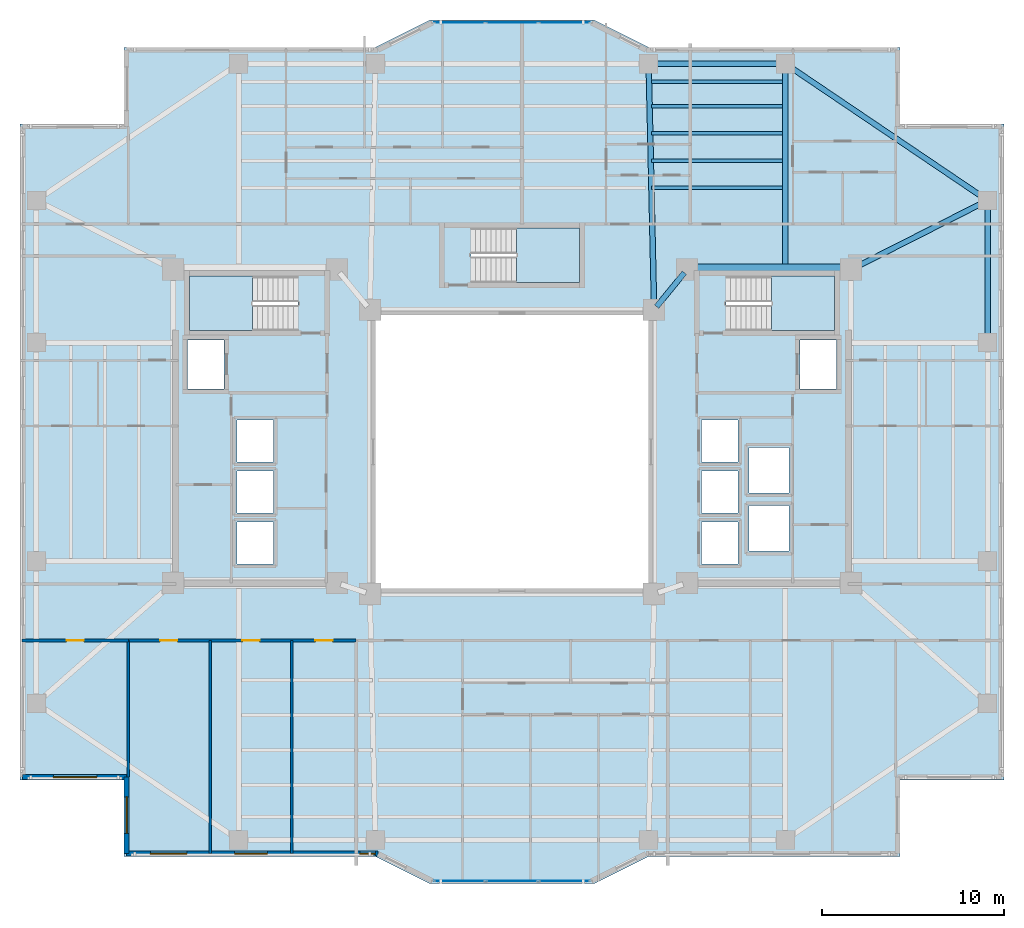
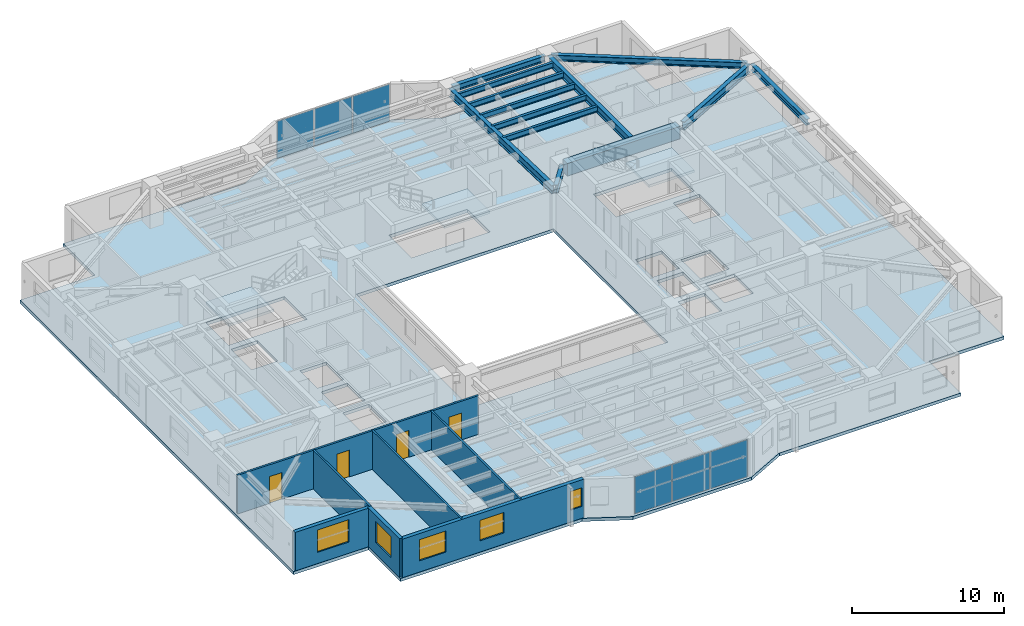
# One storey, part 5 of 18: 13 beams, 8 walls, 6 plates, 5 windows, 4 doors, 4 slabs, 9 openings, 5 elements without a shape of their own.
"""IFC4 building model written with IfcOpenShell, lengths in metres."""

import ifcopenshell
import ifcopenshell.guid

model = None  # the IFC model being written
_history = None  # IfcOwnerHistory: only IFC2X3 demands one
_inside = {}  # id of a spatial element -> (the spatial element, [elements in it])
_under = {}  # id of a project, library or spatial element -> (it, [spatial elements below it])
_declared = {}  # id of a project -> (the project, [libraries it declares])
_typed = {}  # id of a type object -> (the type object, [elements of that type])
_made_of = {}  # id of a material, layer set ... -> (it, [elements and type objects made of it])


def new_model(schema):
    """Start an empty IFC model of exactly this schema.

    Asked for "IFC4X3", IfcOpenShell would pick the latest addendum, in which some entities
    have other attributes; the version numbers below select the first issue.
    IFC2X3 requires an IfcOwnerHistory on every rooted entity: one is made here for all.
    """
    global model, _history
    if schema == "IFC4X3":
        model = ifcopenshell.file(schema_version=(4, 3, 0, 0))
    else:
        model = ifcopenshell.file(schema=schema)
    _inside.clear()
    _under.clear()
    _declared.clear()
    _typed.clear()
    _made_of.clear()
    _history = None
    if model.schema == "IFC2X3":
        org = make("IfcOrganization", Name="unknown")
        user = make(
            "IfcPersonAndOrganization",
            ThePerson=make("IfcPerson", FamilyName="unknown"),
            TheOrganization=org,
        )
        app = make(
            "IfcApplication",
            ApplicationDeveloper=org,
            Version="unknown",
            ApplicationFullName="unknown",
            ApplicationIdentifier="unknown",
        )
        _history = make(
            "IfcOwnerHistory",
            OwningUser=user,
            OwningApplication=app,
            ChangeAction="ADDED",
            CreationDate=0,
        )
    return model


def make(cls, **values):
    """One entity of the class cls with the attributes given. An attribute that is None is left unset."""
    return model.create_entity(
        cls, **{name: value for name, value in values.items() if value is not None}
    )


def rooted(cls, **values):
    """An entity with a GlobalId (a new one), such as an element, a storey or a relation."""
    return make(cls, GlobalId=ifcopenshell.guid.new(), OwnerHistory=_history, **values)


def si_unit(unit_type, name, prefix=None):
    """IfcSIUnit, for example si_unit("LENGTHUNIT", "METRE", prefix="MILLI")."""
    return make("IfcSIUnit", UnitType=unit_type, Prefix=prefix, Name=name)


def assignment(units):
    """IfcUnitAssignment: the units of a project."""
    return None if units is None else make("IfcUnitAssignment", Units=units)


def point(xyz):
    """IfcCartesianPoint."""
    return None if xyz is None else make("IfcCartesianPoint", Coordinates=xyz)


def direction(xyz):
    """IfcDirection."""
    return None if xyz is None else make("IfcDirection", DirectionRatios=xyz)


def frame(location, z_axis=None, x_axis=None):
    """IfcAxis2Placement3D, a coordinate frame: its origin and axes. An axis left out is left unset."""
    return make(
        "IfcAxis2Placement3D",
        Location=point(location),
        Axis=direction(z_axis),
        RefDirection=direction(x_axis),
    )


def frame_2d(location, x_axis=None):
    """IfcAxis2Placement2D, a coordinate frame in the plane: its origin and x axis."""
    return make(
        "IfcAxis2Placement2D", Location=point(location), RefDirection=direction(x_axis)
    )


def origin():
    """The frame at (0, 0, 0) with its axes left unset."""
    return frame((0.0, 0.0, 0.0))


def origin_2d():
    """The frame at (0, 0) in the plane with its x axis left unset."""
    return frame_2d((0.0, 0.0))


def place(relative_to, where):
    """IfcLocalPlacement: puts the frame where relative to a parent placement (None: the world)."""
    return make(
        "IfcLocalPlacement", PlacementRelTo=relative_to, RelativePlacement=where
    )


def context(
    kind, dimensions, precision=None, world=None, true_north=None, identifier=None
):
    """IfcGeometricRepresentationContext, for example the 3D "Model" context."""
    return make(
        "IfcGeometricRepresentationContext",
        ContextIdentifier=identifier,
        ContextType=kind,
        CoordinateSpaceDimension=dimensions,
        Precision=precision,
        WorldCoordinateSystem=world,
        TrueNorth=true_north,
    )


def subcontext(parent, identifier, kind, view, scale=None):
    """IfcGeometricRepresentationSubContext, for example "Body" below "Model"."""
    return make(
        "IfcGeometricRepresentationSubContext",
        ContextIdentifier=identifier,
        ContextType=kind,
        ParentContext=parent,
        TargetScale=scale,
        TargetView=view,
    )


def project(units=None, contexts=None):
    """IfcProject with its units and contexts."""
    return rooted(
        "IfcProject",
        Name="project",
        RepresentationContexts=contexts,
        UnitsInContext=assignment(units),
    )


def spatial(cls, under=None, at=None, **own):
    """A site, building, storey or space (cls), placed at a placement, below another one or the project."""
    s = rooted(cls, ObjectPlacement=at, **own)
    if under is not None:
        _under.setdefault(under.id(), (under, []))[1].append(s)
    return s


def polyline(points):
    """IfcPolyline through the points."""
    return make("IfcPolyline", Points=[point(p) for p in points])


def profile(cls, at=None, kind="AREA", **sizes):
    """A parametric profile (cls). Its sizes go by their IFC names, for example OverallWidth=200.0."""
    return make(cls, ProfileType=kind, Position=at, **sizes)


def rectangle(**sizes):
    """IfcRectangleProfileDef."""
    return profile("IfcRectangleProfileDef", **sizes)


def i_section(**sizes):
    """IfcIShapeProfileDef."""
    return profile("IfcIShapeProfileDef", **sizes)


def outline(outer, holes=None, kind="AREA"):
    """IfcArbitraryClosedProfileDef: a profile drawn as a closed curve; with holes, ...WithVoids."""
    if holes is None:
        return make("IfcArbitraryClosedProfileDef", ProfileType=kind, OuterCurve=outer)
    return make(
        "IfcArbitraryProfileDefWithVoids",
        ProfileType=kind,
        OuterCurve=outer,
        InnerCurves=holes,
    )


def extrude(swept, where, along, depth):
    """IfcExtrudedAreaSolid: the profile swept, set in the frame where, extruded along a direction by depth."""
    return make(
        "IfcExtrudedAreaSolid",
        SweptArea=swept,
        Position=where,
        ExtrudedDirection=direction(along),
        Depth=depth,
    )


def shape(context_of_items, identifier, shape_type, items):
    """IfcShapeRepresentation: the items that make up one representation, for example the "Body"."""
    return make(
        "IfcShapeRepresentation",
        ContextOfItems=context_of_items,
        RepresentationIdentifier=identifier,
        RepresentationType=shape_type,
        Items=items,
    )


def material(Name=None, Category=None):
    """IfcMaterial."""
    return make("IfcMaterial", Name=Name, Category=Category)


def layer(
    of_material, thickness, ventilated=None, Name=None, Category=None, Priority=None
):
    """IfcMaterialLayer: one layer of a wall or slab, of a material (None: an air gap)."""
    return make(
        "IfcMaterialLayer",
        Material=of_material,
        LayerThickness=thickness,
        IsVentilated=ventilated,
        Name=Name,
        Category=Category,
        Priority=Priority,
    )


def layer_set(layers, Name=None):
    """IfcMaterialLayerSet."""
    return make("IfcMaterialLayerSet", MaterialLayers=layers, LayerSetName=Name)


def material_profile(
    of_material, cross_section, Name=None, Category=None, Priority=None
):
    """IfcMaterialProfile: a cross section and its material."""
    return make(
        "IfcMaterialProfile",
        Name=Name,
        Material=of_material,
        Profile=cross_section,
        Priority=Priority,
        Category=Category,
    )


def profile_set(profiles, Name=None, composite=None):
    """IfcMaterialProfileSet."""
    return make(
        "IfcMaterialProfileSet",
        Name=Name,
        MaterialProfiles=profiles,
        CompositeProfile=composite,
    )


def made_of(thing, what):
    """Note that an element or type object is made of a material, layer set ...; save() writes the relation."""
    if what is not None:
        _made_of.setdefault(what.id(), (what, []))[1].append(thing)
    return thing


def type_object(cls, material=None, **own):
    """A type object (cls), such as IfcWallType, which elements share."""
    return made_of(rooted(cls, **own), material)


def element(
    cls,
    number,
    at=None,
    inside=None,
    cuts=None,
    type_object=None,
    material=None,
    context=None,
    identifier="Body",
    shape_type=None,
    held_by="IfcProductDefinitionShape",
    body=None,
    shapes=None,
    **own,
):
    """One element of the class cls, such as IfcWall. Its Tag is "e" and its number.

    at: its placement. inside: the storey or other place that contains it. cuts: it is an
    opening in that element (IfcRelVoidsElement). A single representation is given by context,
    identifier, shape_type and body (its items); several are given by shapes. held_by: the class
    of the entity that holds the representations. save() writes the other relations.
    """
    e = rooted(cls, Tag="e%d" % number, ObjectPlacement=at, **own)
    if body is not None:
        shapes = [shape(context, identifier, shape_type, body)]
    if shapes is not None:
        e.Representation = make(held_by, Representations=shapes)
    if inside is not None:
        _inside.setdefault(inside.id(), (inside, []))[1].append(e)
    if cuts is not None:
        rooted(
            "IfcRelVoidsElement", RelatingBuildingElement=cuts, RelatedOpeningElement=e
        )
    if type_object is not None:
        _typed.setdefault(type_object.id(), (type_object, []))[1].append(e)
    return made_of(e, material)


def fill(opening, filler):
    """IfcRelFillsElement: the door or window that sits in an opening."""
    return rooted(
        "IfcRelFillsElement",
        RelatingOpeningElement=opening,
        RelatedBuildingElement=filler,
    )


def aggregate(whole, parts):
    """IfcRelAggregates: a whole, such as a stair, and the parts it consists of."""
    return rooted("IfcRelAggregates", RelatingObject=whole, RelatedObjects=parts)


def save(model, path):
    """Write the relations noted so far, then the file.

    IfcRelAggregates (storeys below a building ...), IfcRelContainedInSpatialStructure (elements
    in a storey), IfcRelDefinesByType, IfcRelAssociatesMaterial and IfcRelDeclares: one each for
    every whole, place, type object, material and project.
    """
    for whole, parts in _under.values():
        aggregate(whole, parts)
    for where, things in _inside.values():
        rooted(
            "IfcRelContainedInSpatialStructure",
            RelatedElements=things,
            RelatingStructure=where,
        )
    for kind, things in _typed.values():
        rooted("IfcRelDefinesByType", RelatedObjects=things, RelatingType=kind)
    for what, things in _made_of.values():
        rooted("IfcRelAssociatesMaterial", RelatedObjects=things, RelatingMaterial=what)
    for by, libraries in _declared.values():
        rooted("IfcRelDeclares", RelatingContext=by, RelatedDefinitions=libraries)
    model.write(path)


model = new_model("IFC4")

# Units and contexts
model_context = context("Model", 3, precision=1e-05, world=origin(), true_north=direction((0.0, 1.0)))
body_context = subcontext(model_context, "Body", "Model", "MODEL_VIEW")
ifc_project = project(units=[si_unit("LENGTHUNIT", "METRE"), si_unit("AREAUNIT", "SQUARE_METRE"), si_unit("VOLUMEUNIT", "CUBIC_METRE"), si_unit("PLANEANGLEUNIT", "RADIAN"), si_unit("MASSUNIT", "GRAM", prefix="KILO")], contexts=[model_context])

# Site, building, storey
site_placement = place(None, origin())
site = spatial("IfcSite", under=ifc_project, at=site_placement, CompositionType="ELEMENT")
building_placement = place(site_placement, origin())
building = spatial("IfcBuilding", under=site, at=building_placement, Name="Tarnavaz Court Tower", CompositionType="ELEMENT")
storey_placement = place(building_placement, frame((0.0, 0.0, 95.050048828125)))
storey = spatial("IfcBuildingStorey", under=building, at=storey_placement, Name="L25", CompositionType="ELEMENT", Elevation=95.050048828125)

# Beams
ifc_material_1 = material(Name="Concrete C60/75", Category="concrete")
ifc_material_profile_1 = material_profile(ifc_material_1, rectangle(XDim=0.60009765625, YDim=1.0, at=origin_2d()), Name="RC 600X1000")
ifc_profile_set_1 = profile_set([ifc_material_profile_1], Name="Concrete C60/75")
beam_type_1 = type_object("IfcBeamType", Name="BM-CB1000", PredefinedType="LINTEL", material=ifc_profile_set_1)
beam_1_placement = place(storey_placement, frame((18.3798828125, 10.0, 2.599853515625), z_axis=(-1.0, 0.0, 0.0), x_axis=(0.0, -1.0, 0.0)))
element("IfcBeam", 1, at=beam_1_placement, inside=storey, type_object=beam_type_1, Name="L25 Beam IN-CE-NO-CE-NI", PredefinedType="LINTEL", context=body_context, shape_type="SweptSolid", body=[
    extrude(rectangle(XDim=0.60009765625, YDim=1.0, at=origin_2d()), origin(), (0.0, 0.0, 1.0), 8.559814453125),
])
ifc_material_2 = material(Name="Steel S355", Category="steel")
ifc_material_profile_2 = material_profile(ifc_material_2, i_section(OverallWidth=0.300048828125, OverallDepth=0.64990234375, WebThickness=0.01611328125, FlangeThickness=0.031005859375, FilletRadius=0.027099609375, at=origin_2d()), Name="HEB 650")
ifc_profile_set_2 = profile_set([ifc_material_profile_2], Name="Steel S355")
beam_type_2 = type_object("IfcBeamType", Name="BM-G-HEB650", PredefinedType="USERDEFINED", material=ifc_profile_set_2)
beam_2_placement = place(storey_placement, frame((9.460693359375, 9.82958984375, 2.77490234375), z_axis=(-0.633282058357, -0.773921077735, 0.0), x_axis=(0.773921077735, -0.633282058357, 0.0)))
element("IfcBeam", 2, at=beam_2_placement, inside=storey, type_object=beam_type_2, Name="L25 Beam IN-CE-NI-IW-NE", ObjectType="GIRDER", PredefinedType="USERDEFINED", context=body_context, shape_type="SweptSolid", body=[
    extrude(i_section(OverallWidth=0.300048828125, OverallDepth=0.64990234375, WebThickness=0.01611328125, FlangeThickness=0.031005859375, FilletRadius=0.027099609375, at=origin_2d()), origin(), (0.0, 0.0, 1.0), 2.402587890625),
])
beam_3_placement = place(storey_placement, frame((7.795166015625, 8.02001953125, 2.77490234375), z_axis=(-0.022221303469, 0.99975307635, 0.0), x_axis=(-0.99975307635, -0.022221303469, 0.0)))
element("IfcBeam", 3, at=beam_3_placement, inside=storey, type_object=beam_type_2, Name="L25 Beam RG-03", ObjectType="GIRDER", PredefinedType="USERDEFINED", context=body_context, shape_type="SweptSolid", body=[
    extrude(i_section(OverallWidth=0.300048828125, OverallDepth=0.64990234375, WebThickness=0.01611328125, FlangeThickness=0.031005859375, FilletRadius=0.027099609375, at=origin_2d()), origin(), (0.0, 0.0, 1.0), 13.063232421875),
])
beam_4_placement = place(storey_placement, frame((15.0, 10.0400390625, 2.77490234375), z_axis=(0.0, 1.0, 0.0), x_axis=(-1.0, 0.0, 0.0)))
element("IfcBeam", 4, at=beam_4_placement, inside=storey, type_object=beam_type_2, Name="L25 Beam RG-04", ObjectType="GIRDER", PredefinedType="USERDEFINED", context=body_context, shape_type="SweptSolid", body=[
    extrude(i_section(OverallWidth=0.300048828125, OverallDepth=0.64990234375, WebThickness=0.01611328125, FlangeThickness=0.031005859375, FilletRadius=0.027099609375, at=origin_2d()), origin(), (0.0, 0.0, 1.0), 11.0400390625),
])
beam_5_placement = place(storey_placement, frame((18.796142578125, 10.099365234375, 2.77490234375), z_axis=(0.892030669981, 0.451974870776, 0.0), x_axis=(-0.451974870776, 0.892030669981, 0.0)))
element("IfcBeam", 5, at=beam_5_placement, inside=storey, type_object=beam_type_2, Name="L25 Beam RG-12", ObjectType="GIRDER", PredefinedType="USERDEFINED", context=body_context, shape_type="SweptSolid", body=[
    extrude(i_section(OverallWidth=0.300048828125, OverallDepth=0.64990234375, WebThickness=0.01611328125, FlangeThickness=0.031005859375, FilletRadius=0.027099609375, at=origin_2d()), origin(), (0.0, 0.0, 1.0), 7.968017578125),
])
ifc_material_profile_3 = material_profile(ifc_material_2, i_section(OverallWidth=0.18994140625, OverallDepth=0.449951171875, WebThickness=0.009521484375, FlangeThickness=0.0146484375, FilletRadius=0.02099609375, at=origin_2d()), Name="IPE 450")
ifc_profile_set_3 = profile_set([ifc_material_profile_3], Name="Steel S355")
beam_type_3 = type_object("IfcBeamType", Name="BM-J-IPE450", PredefinedType="JOIST", material=ifc_profile_set_3)
for number, where, z_axis, x_axis, name in (
    (6, (7.64990234375, 14.493896484375, 2.875), (1.0, 0.0, 0.0), (0.0, 1.0, 0.0), "L25 Beam JN1-3"),
    (7, (7.64990234375, 15.988037109375, 2.875), (1.0, 0.0, 0.0), (0.0, 1.0, 0.0), "L25 Beam JN2-3"),
    (8, (7.64990234375, 17.48193359375, 2.875), (1.0, 0.0, 0.0), (0.0, 1.0, 0.0), "L25 Beam JN3-3"),
    (9, (7.64990234375, 18.97607421875, 2.875), (1.0, 0.0, 0.0), (0.0, 1.0, 0.0), "L25 Beam JN4-3"),
    (10, (7.64990234375, 20.303955078125, 2.875), (1.0, 0.0, 0.0), (0.0, 1.0, 0.0), "L25 Beam JN5-3"),
):
    element("IfcBeam", number, at=place(storey_placement, frame(where, z_axis=z_axis, x_axis=x_axis)), inside=storey, type_object=beam_type_3, Name=name, PredefinedType="JOIST", context=body_context, shape_type="SweptSolid", body=[
        extrude(i_section(OverallWidth=0.18994140625, OverallDepth=0.449951171875, WebThickness=0.009521484375, FlangeThickness=0.0146484375, FilletRadius=0.02099609375, at=origin_2d()), origin(), (0.0, 0.0, 1.0), 7.2001953125),
    ])
ifc_material_profile_4 = material_profile(ifc_material_2, i_section(OverallWidth=0.300048828125, OverallDepth=0.489990234375, WebThickness=0.011962890625, FlangeThickness=0.02294921875, FilletRadius=0.027099609375, at=origin_2d()), Name="HEA 500")
ifc_profile_set_4 = profile_set([ifc_material_profile_4], Name="Steel S355")
beam_type_4 = type_object("IfcBeamType", Name="BM-SP-HEA500", PredefinedType="SPANDREL", material=ifc_profile_set_4)
beam_6_placement = place(storey_placement, frame((7.719970703125, 21.300048828125, 2.85498046875), z_axis=(1.0, 0.0, 0.0), x_axis=(0.0, 1.0, 0.0)))
element("IfcBeam", 11, at=beam_6_placement, inside=storey, type_object=beam_type_4, Name="L25 Beam PR-PN-3-PN-4", PredefinedType="SPANDREL", context=body_context, shape_type="SweptSolid", body=[
    extrude(i_section(OverallWidth=0.300048828125, OverallDepth=0.489990234375, WebThickness=0.011962890625, FlangeThickness=0.02294921875, FilletRadius=0.027099609375, at=origin_2d()), origin(), (0.0, 0.0, 1.0), 7.06005859375),
])
beam_7_placement = place(storey_placement, frame((26.10009765625, 6.219970703125, 2.85498046875), z_axis=(0.0, 1.0, 0.0), x_axis=(-1.0, 0.0, 0.0)))
element("IfcBeam", 12, at=beam_7_placement, inside=storey, type_object=beam_type_4, Name="L25 Beam PR-PE-3-PE-4", PredefinedType="SPANDREL", context=body_context, shape_type="SweptSolid", body=[
    extrude(i_section(OverallWidth=0.300048828125, OverallDepth=0.489990234375, WebThickness=0.011962890625, FlangeThickness=0.02294921875, FilletRadius=0.027099609375, at=origin_2d()), origin(), (0.0, 0.0, 1.0), 7.360107421875),
])
beam_8_placement = place(storey_placement, frame((15.182373046875, 21.1767578125, 2.85498046875), z_axis=(0.828587314918, -0.559859858854, 0.0), x_axis=(0.559859858854, 0.828587314918, 0.0)))
element("IfcBeam", 13, at=beam_8_placement, inside=storey, type_object=beam_type_4, Name="L25 Beam PR-PN-4-PE-4", PredefinedType="SPANDREL", context=body_context, shape_type="SweptSolid", body=[
    extrude(i_section(OverallWidth=0.300048828125, OverallDepth=0.489990234375, WebThickness=0.011962890625, FlangeThickness=0.02294921875, FilletRadius=0.027099609375, at=origin_2d()), origin(), (0.0, 0.0, 1.0), 12.956298828125),
])

# Curtain wall, plates
ifc_material_3 = material(Name="Anodised Aluminium 6063-T6 and Solar Low-E Glazing", Category="aluminium")
ifc_layer_1 = layer(ifc_material_3, 0.179931640625)
ifc_layer_set_1 = layer_set([ifc_layer_1], Name="Anodised Aluminium 6063-T6 and Solar Low-E Glazing")
curtain_wall_type = type_object("IfcCurtainWallType", Name="CW-SYS-02", PredefinedType="NOTDEFINED", material=ifc_layer_set_1)
curtain_wall_1_placement = place(storey_placement, origin())
curtain_wall_1 = element("IfcCurtainWall", 14, at=curtain_wall_1_placement, inside=storey, type_object=curtain_wall_type, Name="L25 Iwan Prow Curtain Wall 7", PredefinedType="NOTDEFINED")
ifc_material_4 = material(Name="Double-Glazed Solar Low-E Glass", Category="glass")
ifc_layer_2 = layer(ifc_material_4, 0.028076171875)
ifc_layer_set_2 = layer_set([ifc_layer_2], Name="Double-Glazed Solar Low-E Glass")
plate_type = type_object("IfcPlateType", Name="CW-PAN-GLZ28", PredefinedType="CURTAIN_PANEL", material=ifc_layer_set_2)
plate_1_placement = place(storey_placement, frame((-2.88134765625, 23.550048828125, 0.06494140625), z_axis=(0.0, 0.0, 1.0), x_axis=(1.0, 0.0, 0.0)))
plate_1 = element("IfcPlate", 15, at=plate_1_placement, type_object=plate_type, Name="CW panel 1.1", PredefinedType="CURTAIN_PANEL", context=body_context, shape_type="SweptSolid", body=[
    extrude(rectangle(XDim=2.78759765625, YDim=0.028076171875, at=origin_2d()), origin(), (0.0, 0.0, 1.0), 2.969970703125),
])
plate_2_placement = place(storey_placement, frame((0.0, 23.550048828125, 0.06494140625), z_axis=(0.0, 0.0, 1.0), x_axis=(1.0, 0.0, 0.0)))
plate_2 = element("IfcPlate", 16, at=plate_2_placement, type_object=plate_type, Name="CW panel 2.1", PredefinedType="CURTAIN_PANEL", context=body_context, shape_type="SweptSolid", body=[
    extrude(rectangle(XDim=2.824951171875, YDim=0.028076171875, at=origin_2d()), origin(), (0.0, 0.0, 1.0), 2.969970703125),
])
plate_3_placement = place(storey_placement, frame((2.88134765625, 23.550048828125, 0.06494140625), z_axis=(0.0, 0.0, 1.0), x_axis=(1.0, 0.0, 0.0)))
plate_3 = element("IfcPlate", 17, at=plate_3_placement, type_object=plate_type, Name="CW panel 3.1", PredefinedType="CURTAIN_PANEL", context=body_context, shape_type="SweptSolid", body=[
    extrude(rectangle(XDim=2.78759765625, YDim=0.028076171875, at=origin_2d()), origin(), (0.0, 0.0, 1.0), 2.969970703125),
])
aggregate(curtain_wall_1, [plate_1, plate_2, plate_3])

curtain_wall_2_placement = place(storey_placement, origin())
curtain_wall_2 = element("IfcCurtainWall", 18, at=curtain_wall_2_placement, inside=storey, type_object=curtain_wall_type, Name="L25 Iwan Prow Curtain Wall 17", PredefinedType="NOTDEFINED")
plate_4_placement = place(storey_placement, frame((2.88134765625, -23.550048828125, 0.06494140625), z_axis=(0.0, 0.0, 1.0), x_axis=(-1.0, 0.0, 0.0)))
plate_4 = element("IfcPlate", 19, at=plate_4_placement, type_object=plate_type, Name="CW panel 1.1", PredefinedType="CURTAIN_PANEL", context=body_context, shape_type="SweptSolid", body=[
    extrude(rectangle(XDim=2.78759765625, YDim=0.028076171875, at=origin_2d()), origin(), (0.0, 0.0, 1.0), 2.969970703125),
])
plate_5_placement = place(storey_placement, frame((0.0, -23.550048828125, 0.06494140625), z_axis=(0.0, 0.0, 1.0), x_axis=(-1.0, 0.0, 0.0)))
plate_5 = element("IfcPlate", 20, at=plate_5_placement, type_object=plate_type, Name="CW panel 2.1", PredefinedType="CURTAIN_PANEL", context=body_context, shape_type="SweptSolid", body=[
    extrude(rectangle(XDim=2.824951171875, YDim=0.028076171875, at=origin_2d()), origin(), (0.0, 0.0, 1.0), 2.969970703125),
])
plate_6_placement = place(storey_placement, frame((-2.88134765625, -23.550048828125, 0.06494140625), z_axis=(0.0, 0.0, 1.0), x_axis=(-1.0, 0.0, 0.0)))
plate_6 = element("IfcPlate", 21, at=plate_6_placement, type_object=plate_type, Name="CW panel 3.1", PredefinedType="CURTAIN_PANEL", context=body_context, shape_type="SweptSolid", body=[
    extrude(rectangle(XDim=2.78759765625, YDim=0.028076171875, at=origin_2d()), origin(), (0.0, 0.0, 1.0), 2.969970703125),
])
aggregate(curtain_wall_2, [plate_4, plate_5, plate_6])

# Stair, slab
ifc_material_5 = material(Name="Concrete C40/50", Category="concrete")
stair_type = type_object("IfcStairType", Name="ST-TWR-20R", PredefinedType="HALF_TURN_STAIR", material=ifc_material_5)
stair_1_placement = place(storey_placement, origin())
stair_1 = element("IfcStair", 22, at=stair_1_placement, inside=storey, type_object=stair_type, Name="L25 West Core Pressurized Exit Stair ST-W1", PredefinedType="HALF_TURN_STAIR")
ifc_layer_3 = layer(ifc_material_5, 0.199951171875)
ifc_layer_set_3 = layer_set([ifc_layer_3], Name="Concrete C40/50")
slab_type_1 = type_object("IfcSlabType", Name="SL-LAND-200", PredefinedType="LANDING", material=ifc_layer_set_3)
slab_1_placement = place(storey_placement, frame((0.0, 0.0, 1.474853515625)))
slab_1 = element("IfcSlab", 23, at=slab_1_placement, type_object=slab_type_1, Name="ST-W1 landing 1", PredefinedType="LANDING", context=body_context, shape_type="SweptSolid", body=[
    extrude(outline(polyline([(-14.239990234375, 9.639892578125), (-17.699951171875, 9.639892578125), (-17.699951171875, 6.64990234375), (-14.239990234375, 6.64990234375), (-14.239990234375, 9.639892578125)])), origin(), (0.0, 0.0, 1.0), 0.2001953125),
])
aggregate(stair_1, [slab_1])

stair_2_placement = place(storey_placement, origin())
stair_2 = element("IfcStair", 24, at=stair_2_placement, inside=storey, type_object=stair_type, Name="L25 East Core Pressurized Exit Stair ST-E1", PredefinedType="HALF_TURN_STAIR")
slab_2_placement = place(storey_placement, frame((0.0, 0.0, 1.474853515625)))
slab_2 = element("IfcSlab", 25, at=slab_2_placement, type_object=slab_type_1, Name="ST-E1 landing 1", PredefinedType="LANDING", context=body_context, shape_type="SweptSolid", body=[
    extrude(outline(polyline([(14.239990234375, 6.64990234375), (17.699951171875, 6.64990234375), (17.699951171875, 9.639892578125), (14.239990234375, 9.639892578125), (14.239990234375, 6.64990234375)])), origin(), (0.0, 0.0, 1.0), 0.2001953125),
])
aggregate(stair_2, [slab_2])

stair_3_placement = place(storey_placement, origin())
stair_3 = element("IfcStair", 26, at=stair_3_placement, inside=storey, type_object=stair_type, Name="L25 North Ring Pressurized Exit Stair ST-N1", PredefinedType="HALF_TURN_STAIR")
slab_3_placement = place(storey_placement, frame((0.0, 0.0, 1.474853515625)))
slab_3 = element("IfcSlab", 27, at=slab_3_placement, type_object=slab_type_1, Name="ST-N1 landing 1", PredefinedType="LANDING", context=body_context, shape_type="SweptSolid", body=[
    extrude(outline(polyline([(0.239990234375, 9.300048828125), (3.699951171875, 9.300048828125), (3.699951171875, 12.2900390625), (0.239990234375, 12.2900390625), (0.239990234375, 9.300048828125)])), origin(), (0.0, 0.0, 1.0), 0.2001953125),
])
aggregate(stair_3, [slab_3])

# Slab
ifc_layer_4 = layer(ifc_material_5, 0.25)
ifc_layer_set_4 = layer_set([ifc_layer_4], Name="Concrete C40/50")
slab_type_2 = type_object("IfcSlabType", Name="SL-RES-250", PredefinedType="FLOOR", material=ifc_layer_set_4)
slab_4_placement = place(storey_placement, frame((0.0, 0.0, -0.25)))
element("IfcSlab", 28, at=slab_4_placement, inside=storey, type_object=slab_type_2, Name="L25 Structural Floor Slab", PredefinedType="FLOOR", context=body_context, shape_type="SweptSolid", body=[
    extrude(outline(polyline([(-21.300048828125, -22.199951171875), (-7.5, -22.199951171875), (-4.5, -23.699951171875), (4.5, -23.699951171875), (7.5, -22.199951171875), (21.300048828125, -22.199951171875), (21.300048828125, -18.0), (27.0, -18.0), (27.0, 18.0), (21.300048828125, 18.0), (21.300048828125, 22.199951171875), (7.5, 22.199951171875), (4.5, 23.699951171875), (-4.5, 23.699951171875), (-7.5, 22.199951171875), (-21.300048828125, 22.199951171875), (-21.300048828125, 18.0), (-27.0, 18.0), (-27.0, -18.0), (-21.300048828125, -18.0), (-21.300048828125, -22.199951171875)]), holes=[polyline([(-7.5, -7.5), (7.5, -7.5), (7.5, 7.5), (-7.5, 7.5), (-7.5, -7.5)]), polyline([(-11.7451171875, 9.639892578125), (-17.699951171875, 9.639892578125), (-17.699951171875, 6.64990234375), (-11.7451171875, 6.64990234375), (-11.7451171875, 9.639892578125)]), polyline([(11.7451171875, 6.64990234375), (17.699951171875, 6.64990234375), (17.699951171875, 9.639892578125), (11.7451171875, 9.639892578125), (11.7451171875, 6.64990234375)]), polyline([(-2.2548828125, 9.300048828125), (3.699951171875, 9.300048828125), (3.699951171875, 12.2900390625), (-2.2548828125, 12.2900390625), (-2.2548828125, 9.300048828125)]), polyline([(-17.800048828125, 3.449951171875), (-15.800048828125, 3.449951171875), (-15.800048828125, 6.14990234375), (-17.800048828125, 6.14990234375), (-17.800048828125, 3.449951171875)]), polyline([(-15.10009765625, -6.14990234375), (-13.10009765625, -6.14990234375), (-13.10009765625, -3.85009765625), (-15.10009765625, -3.85009765625), (-15.10009765625, -6.14990234375)]), polyline([(-15.10009765625, -3.35009765625), (-13.10009765625, -3.35009765625), (-13.10009765625, -1.050048828125), (-15.10009765625, -1.050048828125), (-15.10009765625, -3.35009765625)]), polyline([(-15.10009765625, -0.550048828125), (-13.10009765625, -0.550048828125), (-13.10009765625, 1.75), (-15.10009765625, 1.75), (-15.10009765625, -0.550048828125)]), polyline([(15.800048828125, 3.449951171875), (17.800048828125, 3.449951171875), (17.800048828125, 6.14990234375), (15.800048828125, 6.14990234375), (15.800048828125, 3.449951171875)]), polyline([(10.39990234375, -6.14990234375), (12.39990234375, -6.14990234375), (12.39990234375, -3.85009765625), (10.39990234375, -3.85009765625), (10.39990234375, -6.14990234375)]), polyline([(10.39990234375, -3.35009765625), (12.39990234375, -3.35009765625), (12.39990234375, -1.050048828125), (10.39990234375, -1.050048828125), (10.39990234375, -3.35009765625)]), polyline([(10.39990234375, -0.550048828125), (12.39990234375, -0.550048828125), (12.39990234375, 1.75), (10.39990234375, 1.75), (10.39990234375, -0.550048828125)]), polyline([(13.0, -5.449951171875), (15.199951171875, -5.449951171875), (15.199951171875, -2.949951171875), (13.0, -2.949951171875), (13.0, -5.449951171875)]), polyline([(13.0, -2.25), (15.199951171875, -2.25), (15.199951171875, 0.25), (13.0, 0.25), (13.0, -2.25)])]), origin(), (0.0, 0.0, 1.0), 0.25),
])

# Wall, opening, window
ifc_material_6 = material(Name="Precast Concrete C40/50", Category="concrete")
ifc_layer_5 = layer(ifc_material_6, 0.280029296875)
ifc_layer_set_5 = layer_set([ifc_layer_5], Name="Precast Concrete C40/50")
wall_type_1 = type_object("IfcWallType", Name="WL-EXT-280", PredefinedType="SOLIDWALL", material=ifc_layer_set_5)
wall_1_placement = place(storey_placement, frame((-21.14990234375, -17.85009765625, 0.0), z_axis=(0.0, 0.0, 1.0), x_axis=(-1.0, 0.0, 0.0)))
wall_1 = element("IfcWall", 29, at=wall_1_placement, inside=storey, type_object=wall_type_1, Name="L25 Exterior Terracotta Facade Wall 01", PredefinedType="SOLIDWALL", context=body_context, shape_type="SweptSolid", body=[
    extrude(rectangle(XDim=5.7001953125, YDim=0.280029296875, at=frame_2d((2.85009765625, 0.0))), origin(), (0.0, 0.0, 1.0), 3.099853515625),
])
opening_1_placement = place(wall_1_placement, frame((1.625, 0.0, 0.89990234375)))
opening_1 = element("IfcOpeningElement", 30, at=opening_1_placement, cuts=wall_1, Name="Opening W06", PredefinedType="OPENING", context=body_context, shape_type="SweptSolid", body=[
    extrude(rectangle(XDim=2.39990234375, YDim=1.800048828125, at=frame_2d((1.199951171875, 0.89990234375))), frame((0.0, 0.14990234375, 0.0), z_axis=(0.0, -1.0, 0.0), x_axis=(1.0, 0.0, 0.0)), (0.0, 0.0, 1.0), 0.300048828125),
])
window_type_1 = type_object("IfcWindowType", Name="WN-APT-2400", PartitioningType="TRIPLE_PANEL_VERTICAL", PredefinedType="WINDOW", material=ifc_material_4)
window_1_placement = place(opening_1_placement, origin())
window_1 = element("IfcWindow", 31, at=window_1_placement, inside=storey, type_object=window_type_1, Name="L25 South-West Corner Reading Room Window", OverallHeight=1.800048828125, OverallWidth=2.39990234375, PartitioningType="SINGLE_PANEL", PredefinedType="WINDOW", context=body_context, shape_type="SweptSolid", body=[
    extrude(rectangle(XDim=2.39990234375, YDim=1.800048828125, at=frame_2d((1.199951171875, 0.89990234375))), frame((0.0, 0.030029296875, 0.0), z_axis=(0.0, -1.0, 0.0), x_axis=(1.0, 0.0, 0.0)), (0.0, 0.0, 1.0), 0.06005859375),
])
fill(opening_1, window_1)

# Wall, openings, windows
wall_2_placement = place(storey_placement, frame((-7.35009765625, -22.050048828125, 0.0), z_axis=(0.0, 0.0, 1.0), x_axis=(-1.0, 0.0, 0.0)))
wall_2 = element("IfcWall", 32, at=wall_2_placement, inside=storey, type_object=wall_type_1, Name="L25 Exterior Terracotta Facade Wall 19", PredefinedType="SOLIDWALL", context=body_context, shape_type="SweptSolid", body=[
    extrude(rectangle(XDim=13.7998046875, YDim=0.280029296875, at=frame_2d((6.89990234375, 0.0))), origin(), (0.0, 0.0, 1.0), 3.099853515625),
])
opening_2_placement = place(wall_2_placement, frame((0.14697265625, 0.0, 0.949951171875)))
opening_2 = element("IfcOpeningElement", 33, at=opening_2_placement, cuts=wall_2, Name="Opening W15", PredefinedType="OPENING", context=body_context, shape_type="SweptSolid", body=[
    extrude(rectangle(XDim=0.85009765625, YDim=1.5, at=frame_2d((0.425048828125, 0.75))), frame((0.0, 0.14990234375, 0.0), z_axis=(0.0, -1.0, 0.0), x_axis=(1.0, 0.0, 0.0)), (0.0, 0.0, 1.0), 0.300048828125),
])
opening_3_placement = place(wall_2_placement, frame((6.0751953125, 0.0, 0.89990234375)))
opening_3 = element("IfcOpeningElement", 34, at=opening_3_placement, cuts=wall_2, Name="Opening W01", PredefinedType="OPENING", context=body_context, shape_type="SweptSolid", body=[
    extrude(rectangle(XDim=1.800048828125, YDim=1.64990234375, at=frame_2d((0.89990234375, 0.824951171875))), frame((0.0, 0.14990234375, 0.0), z_axis=(0.0, -1.0, 0.0), x_axis=(1.0, 0.0, 0.0)), (0.0, 0.0, 1.0), 0.300048828125),
])
opening_4_placement = place(wall_2_placement, frame((10.49169921875, 0.0, 0.89990234375)))
opening_4 = element("IfcOpeningElement", 35, at=opening_4_placement, cuts=wall_2, Name="Opening W08", PredefinedType="OPENING", context=body_context, shape_type="SweptSolid", body=[
    extrude(rectangle(XDim=2.0, YDim=1.699951171875, at=frame_2d((1.0, 0.85009765625))), frame((0.0, 0.14990234375, 0.0), z_axis=(0.0, -1.0, 0.0), x_axis=(1.0, 0.0, 0.0)), (0.0, 0.0, 1.0), 0.300048828125),
])
window_type_2 = type_object("IfcWindowType", Name="WN-APT-1800", PartitioningType="DOUBLE_PANEL_VERTICAL", PredefinedType="WINDOW", material=ifc_material_4)
window_2_placement = place(opening_3_placement, origin())
window_2 = element("IfcWindow", 36, at=window_2_placement, inside=storey, type_object=window_type_2, Name="L25 Craft and Maker Workshop Room Window", OverallHeight=1.64990234375, OverallWidth=1.800048828125, PartitioningType="SINGLE_PANEL", PredefinedType="WINDOW", context=body_context, shape_type="SweptSolid", body=[
    extrude(rectangle(XDim=1.800048828125, YDim=1.64990234375, at=frame_2d((0.89990234375, 0.824951171875))), frame((0.0, 0.030029296875, 0.0), z_axis=(0.0, -1.0, 0.0), x_axis=(1.0, 0.0, 0.0)), (0.0, 0.0, 1.0), 0.06005859375),
])
fill(opening_3, window_2)
window_type_3 = type_object("IfcWindowType", Name="WN-APT-2000", PartitioningType="DOUBLE_PANEL_VERTICAL", PredefinedType="WINDOW", material=ifc_material_4)
window_3_placement = place(opening_4_placement, origin())
window_3 = element("IfcWindow", 37, at=window_3_placement, inside=storey, type_object=window_type_3, Name="L25 Resident Community Meeting Room Window", OverallHeight=1.699951171875, OverallWidth=2.0, PartitioningType="SINGLE_PANEL", PredefinedType="WINDOW", context=body_context, shape_type="SweptSolid", body=[
    extrude(rectangle(XDim=2.0, YDim=1.699951171875, at=frame_2d((1.0, 0.85009765625))), frame((0.0, 0.030029296875, 0.0), z_axis=(0.0, -1.0, 0.0), x_axis=(1.0, 0.0, 0.0)), (0.0, 0.0, 1.0), 0.06005859375),
])
fill(opening_4, window_3)
window_type_4 = type_object("IfcWindowType", Name="WN-APT-850", PartitioningType="SINGLE_PANEL", PredefinedType="WINDOW", material=ifc_material_4)
window_4_placement = place(opening_2_placement, origin())
window_4 = element("IfcWindow", 38, at=window_4_placement, inside=storey, type_object=window_type_4, Name="L25 Flat 04 Living and Dining Room Window", OverallHeight=1.5, OverallWidth=0.85009765625, PartitioningType="SINGLE_PANEL", PredefinedType="WINDOW", context=body_context, shape_type="SweptSolid", body=[
    extrude(rectangle(XDim=0.85009765625, YDim=1.5, at=frame_2d((0.425048828125, 0.75))), frame((0.0, 0.030029296875, 0.0), z_axis=(0.0, -1.0, 0.0), x_axis=(1.0, 0.0, 0.0)), (0.0, 0.0, 1.0), 0.06005859375),
])
fill(opening_2, window_4)

# Wall, opening, window
wall_3_placement = place(storey_placement, frame((-21.14990234375, -22.050048828125, 0.0), z_axis=(0.0, 0.0, 1.0), x_axis=(0.0, 1.0, 0.0)))
wall_3 = element("IfcWall", 39, at=wall_3_placement, inside=storey, type_object=wall_type_1, Name="L25 Exterior Terracotta Facade Wall 20", PredefinedType="SOLIDWALL", context=body_context, shape_type="SweptSolid", body=[
    extrude(rectangle(XDim=4.199951171875, YDim=0.280029296875, at=frame_2d((2.10009765625, 0.0))), origin(), (0.0, 0.0, 1.0), 3.099853515625),
])
opening_5_placement = place(wall_3_placement, frame((1.117919921875, 0.0, 0.89990234375)))
opening_5 = element("IfcOpeningElement", 40, at=opening_5_placement, cuts=wall_3, Name="Opening W08", PredefinedType="OPENING", context=body_context, shape_type="SweptSolid", body=[
    extrude(rectangle(XDim=2.0, YDim=1.699951171875, at=frame_2d((1.0, 0.85009765625))), frame((0.0, 0.14990234375, 0.0), z_axis=(0.0, -1.0, 0.0), x_axis=(1.0, 0.0, 0.0)), (0.0, 0.0, 1.0), 0.300048828125),
])
window_5_placement = place(opening_5_placement, origin())
window_5 = element("IfcWindow", 41, at=window_5_placement, inside=storey, type_object=window_type_3, Name="L25 Resident Community Meeting Room Window", OverallHeight=1.699951171875, OverallWidth=2.0, PartitioningType="SINGLE_PANEL", PredefinedType="WINDOW", context=body_context, shape_type="SweptSolid", body=[
    extrude(rectangle(XDim=2.0, YDim=1.699951171875, at=frame_2d((1.0, 0.85009765625))), frame((0.0, 0.030029296875, 0.0), z_axis=(0.0, -1.0, 0.0), x_axis=(1.0, 0.0, 0.0)), (0.0, 0.0, 1.0), 0.06005859375),
])
fill(opening_5, window_5)

# Wall, openings, doors
ifc_material_7 = material(Name="Gypsum Fire-Board on Acoustic Metal Stud", Category="masonry")
ifc_layer_6 = layer(ifc_material_7, 0.14990234375)
ifc_layer_set_6 = layer_set([ifc_layer_6], Name="Gypsum Fire-Board on Acoustic Metal Stud")
wall_type_2 = type_object("IfcWallType", Name="WL-FIRE-150", PredefinedType="PARTITIONING", material=ifc_layer_set_6)
wall_4_placement = place(storey_placement, frame((-21.050048828125, -10.35009765625, 0.0), z_axis=(0.0, 0.0, 1.0), x_axis=(1.0, 0.0, 0.0)))
wall_4 = element("IfcWall", 42, at=wall_4_placement, inside=storey, type_object=wall_type_2, Name="L25 SW Horseshoe Wall 073", PredefinedType="PARTITIONING", context=body_context, shape_type="SweptSolid", body=[
    extrude(rectangle(XDim=12.5, YDim=0.14990234375, at=frame_2d((6.25, 0.0))), origin(), (0.0, 0.0, 1.0), 3.099853515625),
])
opening_6_placement = place(wall_4_placement, frame((1.736083984375, 0.0, 0.0)))
opening_6 = element("IfcOpeningElement", 43, at=opening_6_placement, cuts=wall_4, Name="Opening D13", PredefinedType="OPENING", context=body_context, shape_type="SweptSolid", body=[
    extrude(rectangle(XDim=0.949951171875, YDim=2.14990234375, at=frame_2d((0.47509765625, 1.074951171875))), frame((0.0, 0.0849609375, 0.0), z_axis=(0.0, -1.0, 0.0), x_axis=(1.0, 0.0, 0.0)), (0.0, 0.0, 1.0), 0.169921875),
])
opening_7_placement = place(wall_4_placement, frame((6.248046875, 0.0, 0.0)))
opening_7 = element("IfcOpeningElement", 44, at=opening_7_placement, cuts=wall_4, Name="Opening D13", PredefinedType="OPENING", context=body_context, shape_type="SweptSolid", body=[
    extrude(rectangle(XDim=0.949951171875, YDim=2.14990234375, at=frame_2d((0.47509765625, 1.074951171875))), frame((0.0, 0.0849609375, 0.0), z_axis=(0.0, -1.0, 0.0), x_axis=(1.0, 0.0, 0.0)), (0.0, 0.0, 1.0), 0.169921875),
])
opening_8_placement = place(wall_4_placement, frame((10.261962890625, 0.0, 0.0)))
opening_8 = element("IfcOpeningElement", 45, at=opening_8_placement, cuts=wall_4, Name="Opening D13", PredefinedType="OPENING", context=body_context, shape_type="SweptSolid", body=[
    extrude(rectangle(XDim=0.949951171875, YDim=2.14990234375, at=frame_2d((0.47509765625, 1.074951171875))), frame((0.0, 0.0849609375, 0.0), z_axis=(0.0, -1.0, 0.0), x_axis=(1.0, 0.0, 0.0)), (0.0, 0.0, 1.0), 0.169921875),
])
ifc_material_8 = material(Name="Engineered Oak Timber", Category="wood")
door_type = type_object("IfcDoorType", Name="DR-INT-950", OperationType="NOTDEFINED", PredefinedType="DOOR", material=ifc_material_8)
door_1_placement = place(opening_6_placement, origin())
door_1 = element("IfcDoor", 46, at=door_1_placement, inside=storey, type_object=door_type, Name="L25 Resident Community Meeting Room Door", OperationType="SINGLE_SWING_RIGHT", OverallHeight=2.14990234375, OverallWidth=0.949951171875, PredefinedType="DOOR", context=body_context, shape_type="SweptSolid", body=[
    extrude(rectangle(XDim=0.949951171875, YDim=2.14990234375, at=frame_2d((0.47509765625, 1.074951171875))), frame((0.0, 0.02490234375, 0.0), z_axis=(0.0, -1.0, 0.0), x_axis=(1.0, 0.0, 0.0)), (0.0, 0.0, 1.0), 0.050048828125),
])
fill(opening_6, door_1)
door_2_placement = place(opening_7_placement, origin())
door_2 = element("IfcDoor", 47, at=door_2_placement, inside=storey, type_object=door_type, Name="L25 Craft and Maker Workshop Room Door", OperationType="SINGLE_SWING_LEFT", OverallHeight=2.14990234375, OverallWidth=0.949951171875, PredefinedType="DOOR", context=body_context, shape_type="SweptSolid", body=[
    extrude(rectangle(XDim=0.949951171875, YDim=2.14990234375, at=frame_2d((0.47509765625, 1.074951171875))), frame((0.0, 0.02490234375, 0.0), z_axis=(0.0, -1.0, 0.0), x_axis=(1.0, 0.0, 0.0)), (0.0, 0.0, 1.0), 0.050048828125),
])
fill(opening_7, door_2)
door_3_placement = place(opening_8_placement, origin())
door_3 = element("IfcDoor", 48, at=door_3_placement, inside=storey, type_object=door_type, Name="L25 Accessible Washroom WC Door", OperationType="SINGLE_SWING_RIGHT", OverallHeight=2.14990234375, OverallWidth=0.949951171875, PredefinedType="DOOR", context=body_context, shape_type="SweptSolid", body=[
    extrude(rectangle(XDim=0.949951171875, YDim=2.14990234375, at=frame_2d((0.47509765625, 1.074951171875))), frame((0.0, 0.02490234375, 0.0), z_axis=(0.0, -1.0, 0.0), x_axis=(1.0, 0.0, 0.0)), (0.0, 0.0, 1.0), 0.050048828125),
])
fill(opening_8, door_3)

# Wall, opening, door
wall_5_placement = place(storey_placement, frame((-26.8798828125, -10.35009765625, 0.0), z_axis=(0.0, 0.0, 1.0), x_axis=(1.0, 0.0, 0.0)))
wall_5 = element("IfcWall", 49, at=wall_5_placement, inside=storey, type_object=wall_type_2, Name="L25 Interior Partition 118", PredefinedType="PARTITIONING", context=body_context, shape_type="SweptSolid", body=[
    extrude(rectangle(XDim=5.829833984375, YDim=0.14990234375, at=frame_2d((2.9150390625, 0.0))), origin(), (0.0, 0.0, 1.0), 3.099853515625),
])
opening_9_placement = place(wall_5_placement, frame((2.43994140625, 0.0, 0.0)))
opening_9 = element("IfcOpeningElement", 50, at=opening_9_placement, cuts=wall_5, Name="Opening D13", PredefinedType="OPENING", context=body_context, shape_type="SweptSolid", body=[
    extrude(rectangle(XDim=0.949951171875, YDim=2.14990234375, at=frame_2d((0.47509765625, 1.074951171875))), frame((0.0, 0.0849609375, 0.0), z_axis=(0.0, -1.0, 0.0), x_axis=(1.0, 0.0, 0.0)), (0.0, 0.0, 1.0), 0.169921875),
])
door_4_placement = place(opening_9_placement, origin())
door_4 = element("IfcDoor", 51, at=door_4_placement, inside=storey, type_object=door_type, Name="L25 SW Reading Room Door", OperationType="SINGLE_SWING_LEFT", OverallHeight=2.14990234375, OverallWidth=0.949951171875, PredefinedType="DOOR", context=body_context, shape_type="SweptSolid", body=[
    extrude(rectangle(XDim=0.949951171875, YDim=2.14990234375, at=frame_2d((0.47509765625, 1.074951171875))), frame((0.0, 0.02490234375, 0.0), z_axis=(0.0, -1.0, 0.0), x_axis=(1.0, 0.0, 0.0)), (0.0, 0.0, 1.0), 0.050048828125),
])
fill(opening_9, door_4)

# Walls
ifc_material_9 = material(Name="Gypsum Plasterboard Acoustic Partition", Category="masonry")
ifc_layer_7 = layer(ifc_material_9, 0.139892578125)
ifc_layer_set_7 = layer_set([ifc_layer_7], Name="Gypsum Plasterboard Acoustic Partition")
wall_type_3 = type_object("IfcWallType", Name="WL-PART-150", PredefinedType="PARTITIONING", material=ifc_layer_set_7)
for number, where, z_axis, x_axis, name in (
    (52, (-16.568115234375, -22.050048828125, 0.0), (0.0, 0.0, 1.0), (0.0, 1.0, 0.0), "L25 Interior Partition 094"),
    (53, (-12.0859375, -22.050048828125, 0.0), (0.0, 0.0, 1.0), (0.0, 1.0, 0.0), "L25 Interior Partition 095"),
):
    element("IfcWall", number, at=place(storey_placement, frame(where, z_axis=z_axis, x_axis=x_axis)), inside=storey, type_object=wall_type_3, Name=name, PredefinedType="PARTITIONING", context=body_context, shape_type="SweptSolid", body=[
        extrude(rectangle(XDim=11.699951171875, YDim=0.139892578125, at=frame_2d((5.85009765625, 0.0))), origin(), (0.0, 0.0, 1.0), 3.099853515625),
    ])
wall_6_placement = place(storey_placement, frame((-21.050048828125, -17.85009765625, 0.0), z_axis=(0.0, 0.0, 1.0), x_axis=(0.0, 1.0, 0.0)))
element("IfcWall", 54, at=wall_6_placement, inside=storey, type_object=wall_type_3, Name="L25 Interior Partition 112", PredefinedType="PARTITIONING", context=body_context, shape_type="SweptSolid", body=[
    extrude(rectangle(XDim=7.5, YDim=0.139892578125, at=frame_2d((3.75, 0.0))), origin(), (0.0, 0.0, 1.0), 3.099853515625),
])

save(model, "model.ifc")
